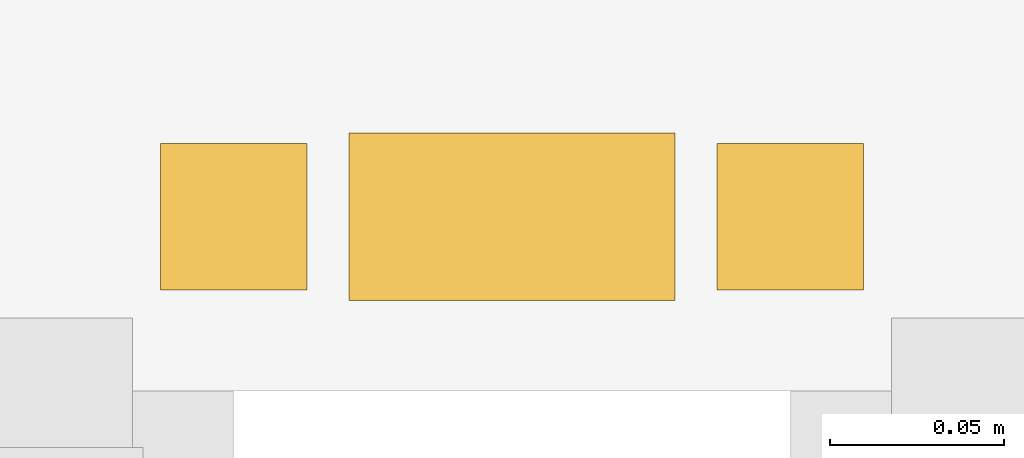
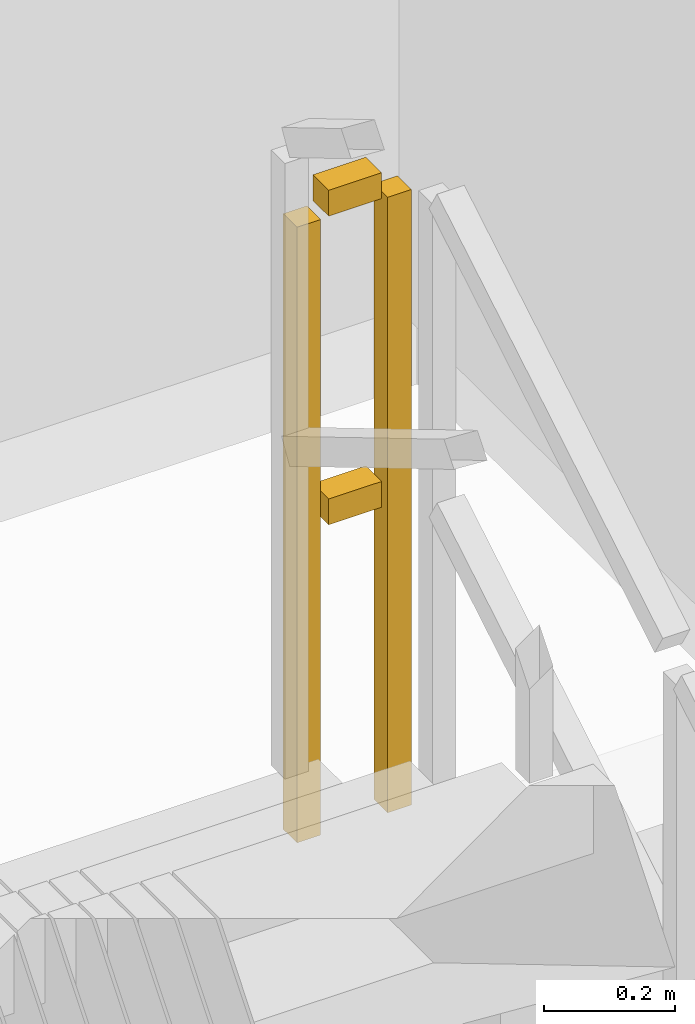
# One storey, part 11 of 11: 1 railing.
"""IFC4 building model written with IfcOpenShell, lengths in metres."""

from ifc_helpers import new_model, si_unit, direction, frame, origin, origin_2d, place, context, subcontext, project, spatial, rectangle, extrude, material, type_object, element, save


model = new_model("IFC4")

# Units and contexts
model_context = context("Model", 3, precision=1e-05, world=origin(), true_north=direction((0.0, 1.0)))
body_context = subcontext(model_context, "Body", "Model", "MODEL_VIEW")
ifc_project = project(units=[si_unit("LENGTHUNIT", "METRE"), si_unit("AREAUNIT", "SQUARE_METRE"), si_unit("VOLUMEUNIT", "CUBIC_METRE"), si_unit("PLANEANGLEUNIT", "RADIAN"), si_unit("MASSUNIT", "GRAM", prefix="KILO")], contexts=[model_context])

# Site, building, storey
site_placement = place(None, origin())
site = spatial("IfcSite", under=ifc_project, at=site_placement, CompositionType="ELEMENT")
building_placement = place(site_placement, origin())
building = spatial("IfcBuilding", under=site, at=building_placement, Name="Saelheon Loggia Tower", CompositionType="ELEMENT")
storey_placement = place(building_placement, frame((0.0, 0.0, 141.75)))
storey = spatial("IfcBuildingStorey", under=building, at=storey_placement, Name="L45", CompositionType="ELEMENT", Elevation=141.75)

# Railing
ifc_material = material(Name="Galvanised Steel S275 Stairwell Guardrail", Category="steel")
railing_type = type_object("IfcRailingType", Name="Guard_StairWell_RL_STG", PredefinedType="GUARDRAIL", material=ifc_material)
railing_placement = place(storey_placement, frame((42.489990234375, 32.739990234375, 1.5)))
element("IfcRailing", 1, at=railing_placement, inside=storey, type_object=railing_type, Name="L45 ST2 stair guard 2", PredefinedType="GUARDRAIL", context=body_context, shape_type="SweptSolid", body=[
    extrude(rectangle(XDim=0.048095703125, YDim=0.048095703125, at=origin_2d()), frame((-0.033203125, 0.0, 1.17578125), z_axis=(-1.0, 0.0, 0.0), x_axis=(0.0, -1.0, 0.0)), (0.0, 0.0, 1.0), 0.093505859375),
    extrude(rectangle(XDim=0.048095703125, YDim=0.048095703125, at=origin_2d()), frame((-0.033203125, 0.0, 0.60009765625), z_axis=(-1.0, 0.0, 0.0), x_axis=(0.0, -1.0, 0.0)), (0.0, 0.0, 1.0), 0.093505859375),
    extrude(rectangle(XDim=0.0419921875, YDim=0.0419921875, at=origin_2d()), origin(), (0.0, 0.0, 1.0), 1.14794921875),
    extrude(rectangle(XDim=0.0419921875, YDim=0.0419921875, at=origin_2d()), frame((-0.159912109375, 0.0, 0.0)), (0.0, 0.0, 1.0), 1.14794921875),
])

save(model, "model.ifc")
